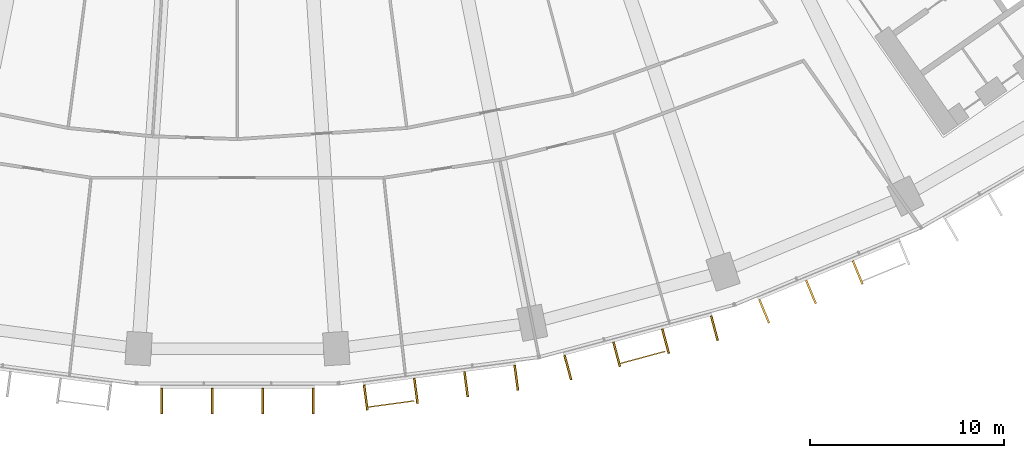
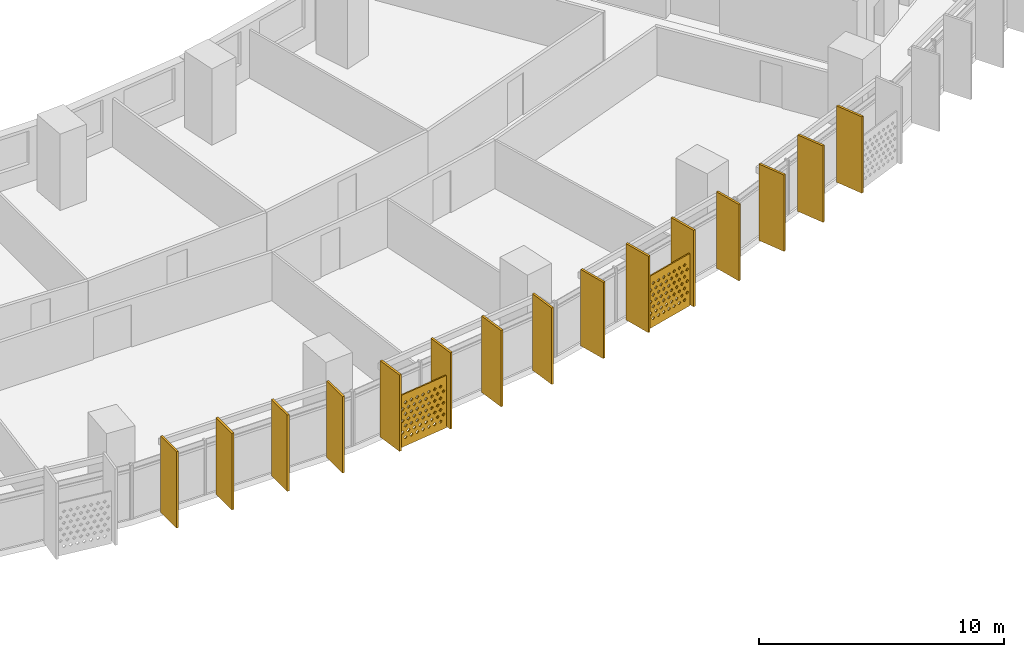
# One storey, part 28 of 31: 17 shading devices.
"""IFC4 building model written with IfcOpenShell, lengths in metres."""

from ifc_helpers import new_model, si_unit, direction, frame, origin, origin_2d, place, context, subcontext, project, spatial, polyline, rectangle, outline, extrude, material, material_profile, profile_set, type_object, element, save


model = new_model("IFC4")

# Units and contexts
model_context = context("Model", 3, precision=1e-05, world=origin(), true_north=direction((0.0, 1.0)))
body_context = subcontext(model_context, "Body", "Model", "MODEL_VIEW")
ifc_project = project(units=[si_unit("LENGTHUNIT", "METRE"), si_unit("AREAUNIT", "SQUARE_METRE"), si_unit("VOLUMEUNIT", "CUBIC_METRE"), si_unit("PLANEANGLEUNIT", "RADIAN"), si_unit("MASSUNIT", "GRAM", prefix="KILO")], contexts=[model_context])

# Site, building, storey
site_placement = place(None, origin())
site = spatial("IfcSite", under=ifc_project, at=site_placement, CompositionType="ELEMENT")
building_placement = place(site_placement, origin())
building = spatial("IfcBuilding", under=site, at=building_placement, Name="Qamariyya Broadcast Tower", CompositionType="ELEMENT")
storey_placement = place(building_placement, frame((0.0, 0.0, 86.10009765625)))
storey = spatial("IfcBuildingStorey", under=building, at=storey_placement, Name="L18", CompositionType="ELEMENT", Elevation=86.10009765625)

# Shading devices
ifc_material_1 = material(Name="Perforated glazed terracotta", Category="masonry")
ifc_material_profile_1 = material_profile(ifc_material_1, outline(polyline([(-1.199951171875, -1.300048828125), (1.199951171875, -1.300048828125), (1.199951171875, 1.300048828125), (-1.199951171875, 1.300048828125), (-1.199951171875, -1.300048828125)]), holes=[polyline([(-0.81494140625, -0.86669921875), (-0.89990234375, -0.78173828125), (-0.985107421875, -0.86669921875), (-0.89990234375, -0.95166015625), (-0.81494140625, -0.86669921875)]), polyline([(-0.514892578125, -0.86669921875), (-0.60009765625, -0.78173828125), (-0.68505859375, -0.86669921875), (-0.60009765625, -0.95166015625), (-0.514892578125, -0.86669921875)]), polyline([(-0.215087890625, -0.86669921875), (-0.300048828125, -0.78173828125), (-0.385009765625, -0.86669921875), (-0.300048828125, -0.95166015625), (-0.215087890625, -0.86669921875)]), polyline([(0.0849609375, -0.86669921875), (0.0, -0.78173828125), (-0.0849609375, -0.86669921875), (0.0, -0.95166015625), (0.0849609375, -0.86669921875)]), polyline([(0.385009765625, -0.86669921875), (0.300048828125, -0.78173828125), (0.215087890625, -0.86669921875), (0.300048828125, -0.95166015625), (0.385009765625, -0.86669921875)]), polyline([(0.68505859375, -0.86669921875), (0.60009765625, -0.78173828125), (0.514892578125, -0.86669921875), (0.60009765625, -0.95166015625), (0.68505859375, -0.86669921875)]), polyline([(0.985107421875, -0.86669921875), (0.89990234375, -0.78173828125), (0.81494140625, -0.86669921875), (0.89990234375, -0.95166015625), (0.985107421875, -0.86669921875)]), polyline([(-0.965087890625, -0.577880859375), (-1.050048828125, -0.49267578125), (-1.135009765625, -0.577880859375), (-1.050048828125, -0.662841796875), (-0.965087890625, -0.577880859375)]), polyline([(-0.6650390625, -0.577880859375), (-0.75, -0.49267578125), (-0.8349609375, -0.577880859375), (-0.75, -0.662841796875), (-0.6650390625, -0.577880859375)]), polyline([(-0.364990234375, -0.577880859375), (-0.449951171875, -0.49267578125), (-0.534912109375, -0.577880859375), (-0.449951171875, -0.662841796875), (-0.364990234375, -0.577880859375)]), polyline([(-0.06494140625, -0.577880859375), (-0.14990234375, -0.49267578125), (-0.235107421875, -0.577880859375), (-0.14990234375, -0.662841796875), (-0.06494140625, -0.577880859375)]), polyline([(0.235107421875, -0.577880859375), (0.14990234375, -0.49267578125), (0.06494140625, -0.577880859375), (0.14990234375, -0.662841796875), (0.235107421875, -0.577880859375)]), polyline([(0.534912109375, -0.577880859375), (0.449951171875, -0.49267578125), (0.364990234375, -0.577880859375), (0.449951171875, -0.662841796875), (0.534912109375, -0.577880859375)]), polyline([(0.8349609375, -0.577880859375), (0.75, -0.49267578125), (0.6650390625, -0.577880859375), (0.75, -0.662841796875), (0.8349609375, -0.577880859375)]), polyline([(1.135009765625, -0.577880859375), (1.050048828125, -0.49267578125), (0.965087890625, -0.577880859375), (1.050048828125, -0.662841796875), (1.135009765625, -0.577880859375)]), polyline([(-0.81494140625, -0.288818359375), (-0.89990234375, -0.203857421875), (-0.985107421875, -0.288818359375), (-0.89990234375, -0.373779296875), (-0.81494140625, -0.288818359375)]), polyline([(-0.514892578125, -0.288818359375), (-0.60009765625, -0.203857421875), (-0.68505859375, -0.288818359375), (-0.60009765625, -0.373779296875), (-0.514892578125, -0.288818359375)]), polyline([(-0.215087890625, -0.288818359375), (-0.300048828125, -0.203857421875), (-0.385009765625, -0.288818359375), (-0.300048828125, -0.373779296875), (-0.215087890625, -0.288818359375)]), polyline([(0.0849609375, -0.288818359375), (0.0, -0.203857421875), (-0.0849609375, -0.288818359375), (0.0, -0.373779296875), (0.0849609375, -0.288818359375)]), polyline([(0.385009765625, -0.288818359375), (0.300048828125, -0.203857421875), (0.215087890625, -0.288818359375), (0.300048828125, -0.373779296875), (0.385009765625, -0.288818359375)]), polyline([(0.68505859375, -0.288818359375), (0.60009765625, -0.203857421875), (0.514892578125, -0.288818359375), (0.60009765625, -0.373779296875), (0.68505859375, -0.288818359375)]), polyline([(0.985107421875, -0.288818359375), (0.89990234375, -0.203857421875), (0.81494140625, -0.288818359375), (0.89990234375, -0.373779296875), (0.985107421875, -0.288818359375)]), polyline([(-0.965087890625, 0.0), (-1.050048828125, 0.0849609375), (-1.135009765625, 0.0), (-1.050048828125, -0.0849609375), (-0.965087890625, 0.0)]), polyline([(-0.6650390625, 0.0), (-0.75, 0.0849609375), (-0.8349609375, 0.0), (-0.75, -0.0849609375), (-0.6650390625, 0.0)]), polyline([(-0.364990234375, 0.0), (-0.449951171875, 0.0849609375), (-0.534912109375, 0.0), (-0.449951171875, -0.0849609375), (-0.364990234375, 0.0)]), polyline([(-0.06494140625, 0.0), (-0.14990234375, 0.0849609375), (-0.235107421875, 0.0), (-0.14990234375, -0.0849609375), (-0.06494140625, 0.0)]), polyline([(0.235107421875, 0.0), (0.14990234375, 0.0849609375), (0.06494140625, 0.0), (0.14990234375, -0.0849609375), (0.235107421875, 0.0)]), polyline([(0.534912109375, 0.0), (0.449951171875, 0.0849609375), (0.364990234375, 0.0), (0.449951171875, -0.0849609375), (0.534912109375, 0.0)]), polyline([(0.8349609375, 0.0), (0.75, 0.0849609375), (0.6650390625, 0.0), (0.75, -0.0849609375), (0.8349609375, 0.0)]), polyline([(1.135009765625, 0.0), (1.050048828125, 0.0849609375), (0.965087890625, 0.0), (1.050048828125, -0.0849609375), (1.135009765625, 0.0)]), polyline([(-0.81494140625, 0.288818359375), (-0.89990234375, 0.373779296875), (-0.985107421875, 0.288818359375), (-0.89990234375, 0.203857421875), (-0.81494140625, 0.288818359375)]), polyline([(-0.514892578125, 0.288818359375), (-0.60009765625, 0.373779296875), (-0.68505859375, 0.288818359375), (-0.60009765625, 0.203857421875), (-0.514892578125, 0.288818359375)]), polyline([(-0.215087890625, 0.288818359375), (-0.300048828125, 0.373779296875), (-0.385009765625, 0.288818359375), (-0.300048828125, 0.203857421875), (-0.215087890625, 0.288818359375)]), polyline([(0.0849609375, 0.288818359375), (0.0, 0.373779296875), (-0.0849609375, 0.288818359375), (0.0, 0.203857421875), (0.0849609375, 0.288818359375)]), polyline([(0.385009765625, 0.288818359375), (0.300048828125, 0.373779296875), (0.215087890625, 0.288818359375), (0.300048828125, 0.203857421875), (0.385009765625, 0.288818359375)]), polyline([(0.68505859375, 0.288818359375), (0.60009765625, 0.373779296875), (0.514892578125, 0.288818359375), (0.60009765625, 0.203857421875), (0.68505859375, 0.288818359375)]), polyline([(0.985107421875, 0.288818359375), (0.89990234375, 0.373779296875), (0.81494140625, 0.288818359375), (0.89990234375, 0.203857421875), (0.985107421875, 0.288818359375)]), polyline([(-0.965087890625, 0.577880859375), (-1.050048828125, 0.662841796875), (-1.135009765625, 0.577880859375), (-1.050048828125, 0.49267578125), (-0.965087890625, 0.577880859375)]), polyline([(-0.6650390625, 0.577880859375), (-0.75, 0.662841796875), (-0.8349609375, 0.577880859375), (-0.75, 0.49267578125), (-0.6650390625, 0.577880859375)]), polyline([(-0.364990234375, 0.577880859375), (-0.449951171875, 0.662841796875), (-0.534912109375, 0.577880859375), (-0.449951171875, 0.49267578125), (-0.364990234375, 0.577880859375)]), polyline([(-0.06494140625, 0.577880859375), (-0.14990234375, 0.662841796875), (-0.235107421875, 0.577880859375), (-0.14990234375, 0.49267578125), (-0.06494140625, 0.577880859375)]), polyline([(0.235107421875, 0.577880859375), (0.14990234375, 0.662841796875), (0.06494140625, 0.577880859375), (0.14990234375, 0.49267578125), (0.235107421875, 0.577880859375)]), polyline([(0.534912109375, 0.577880859375), (0.449951171875, 0.662841796875), (0.364990234375, 0.577880859375), (0.449951171875, 0.49267578125), (0.534912109375, 0.577880859375)]), polyline([(0.8349609375, 0.577880859375), (0.75, 0.662841796875), (0.6650390625, 0.577880859375), (0.75, 0.49267578125), (0.8349609375, 0.577880859375)]), polyline([(1.135009765625, 0.577880859375), (1.050048828125, 0.662841796875), (0.965087890625, 0.577880859375), (1.050048828125, 0.49267578125), (1.135009765625, 0.577880859375)]), polyline([(-0.81494140625, 0.86669921875), (-0.89990234375, 0.95166015625), (-0.985107421875, 0.86669921875), (-0.89990234375, 0.78173828125), (-0.81494140625, 0.86669921875)]), polyline([(-0.514892578125, 0.86669921875), (-0.60009765625, 0.95166015625), (-0.68505859375, 0.86669921875), (-0.60009765625, 0.78173828125), (-0.514892578125, 0.86669921875)]), polyline([(-0.215087890625, 0.86669921875), (-0.300048828125, 0.95166015625), (-0.385009765625, 0.86669921875), (-0.300048828125, 0.78173828125), (-0.215087890625, 0.86669921875)]), polyline([(0.0849609375, 0.86669921875), (0.0, 0.95166015625), (-0.0849609375, 0.86669921875), (0.0, 0.78173828125), (0.0849609375, 0.86669921875)]), polyline([(0.385009765625, 0.86669921875), (0.300048828125, 0.95166015625), (0.215087890625, 0.86669921875), (0.300048828125, 0.78173828125), (0.385009765625, 0.86669921875)]), polyline([(0.68505859375, 0.86669921875), (0.60009765625, 0.95166015625), (0.514892578125, 0.86669921875), (0.60009765625, 0.78173828125), (0.68505859375, 0.86669921875)]), polyline([(0.985107421875, 0.86669921875), (0.89990234375, 0.95166015625), (0.81494140625, 0.86669921875), (0.89990234375, 0.78173828125), (0.985107421875, 0.86669921875)])]))
ifc_profile_set_1 = profile_set([ifc_material_profile_1], Name="Perforated glazed terracotta")
shading_device_type_1 = type_object("IfcShadingDeviceType", Name="Perforated terracotta screen 2400 x 2600", PredefinedType="USERDEFINED", material=ifc_profile_set_1)
shading_device_1_placement = place(storey_placement, frame((7.905517578125, -80.405517578125, 1.349853515625), z_axis=(0.13456727237, -0.990904460181, 0.0), x_axis=(0.990904460181, 0.13456727237, 0.0)))
element("IfcShadingDevice", 1, at=shading_device_1_placement, inside=storey, type_object=shading_device_type_1, Name="e-scr-L18-09-0", ObjectType="SCREEN", PredefinedType="USERDEFINED", context=body_context, shape_type="SweptSolid", body=[
    extrude(outline(polyline([(-1.199951171875, -1.300048828125), (1.199951171875, -1.300048828125), (1.199951171875, 1.300048828125), (-1.199951171875, 1.300048828125), (-1.199951171875, -1.300048828125)]), holes=[polyline([(-0.81494140625, -0.86669921875), (-0.89990234375, -0.78173828125), (-0.985107421875, -0.86669921875), (-0.89990234375, -0.95166015625), (-0.81494140625, -0.86669921875)]), polyline([(-0.514892578125, -0.86669921875), (-0.60009765625, -0.78173828125), (-0.68505859375, -0.86669921875), (-0.60009765625, -0.95166015625), (-0.514892578125, -0.86669921875)]), polyline([(-0.215087890625, -0.86669921875), (-0.300048828125, -0.78173828125), (-0.385009765625, -0.86669921875), (-0.300048828125, -0.95166015625), (-0.215087890625, -0.86669921875)]), polyline([(0.0849609375, -0.86669921875), (0.0, -0.78173828125), (-0.0849609375, -0.86669921875), (0.0, -0.95166015625), (0.0849609375, -0.86669921875)]), polyline([(0.385009765625, -0.86669921875), (0.300048828125, -0.78173828125), (0.215087890625, -0.86669921875), (0.300048828125, -0.95166015625), (0.385009765625, -0.86669921875)]), polyline([(0.68505859375, -0.86669921875), (0.60009765625, -0.78173828125), (0.514892578125, -0.86669921875), (0.60009765625, -0.95166015625), (0.68505859375, -0.86669921875)]), polyline([(0.985107421875, -0.86669921875), (0.89990234375, -0.78173828125), (0.81494140625, -0.86669921875), (0.89990234375, -0.95166015625), (0.985107421875, -0.86669921875)]), polyline([(-0.965087890625, -0.577880859375), (-1.050048828125, -0.49267578125), (-1.135009765625, -0.577880859375), (-1.050048828125, -0.662841796875), (-0.965087890625, -0.577880859375)]), polyline([(-0.6650390625, -0.577880859375), (-0.75, -0.49267578125), (-0.8349609375, -0.577880859375), (-0.75, -0.662841796875), (-0.6650390625, -0.577880859375)]), polyline([(-0.364990234375, -0.577880859375), (-0.449951171875, -0.49267578125), (-0.534912109375, -0.577880859375), (-0.449951171875, -0.662841796875), (-0.364990234375, -0.577880859375)]), polyline([(-0.06494140625, -0.577880859375), (-0.14990234375, -0.49267578125), (-0.235107421875, -0.577880859375), (-0.14990234375, -0.662841796875), (-0.06494140625, -0.577880859375)]), polyline([(0.235107421875, -0.577880859375), (0.14990234375, -0.49267578125), (0.06494140625, -0.577880859375), (0.14990234375, -0.662841796875), (0.235107421875, -0.577880859375)]), polyline([(0.534912109375, -0.577880859375), (0.449951171875, -0.49267578125), (0.364990234375, -0.577880859375), (0.449951171875, -0.662841796875), (0.534912109375, -0.577880859375)]), polyline([(0.8349609375, -0.577880859375), (0.75, -0.49267578125), (0.6650390625, -0.577880859375), (0.75, -0.662841796875), (0.8349609375, -0.577880859375)]), polyline([(1.135009765625, -0.577880859375), (1.050048828125, -0.49267578125), (0.965087890625, -0.577880859375), (1.050048828125, -0.662841796875), (1.135009765625, -0.577880859375)]), polyline([(-0.81494140625, -0.288818359375), (-0.89990234375, -0.203857421875), (-0.985107421875, -0.288818359375), (-0.89990234375, -0.373779296875), (-0.81494140625, -0.288818359375)]), polyline([(-0.514892578125, -0.288818359375), (-0.60009765625, -0.203857421875), (-0.68505859375, -0.288818359375), (-0.60009765625, -0.373779296875), (-0.514892578125, -0.288818359375)]), polyline([(-0.215087890625, -0.288818359375), (-0.300048828125, -0.203857421875), (-0.385009765625, -0.288818359375), (-0.300048828125, -0.373779296875), (-0.215087890625, -0.288818359375)]), polyline([(0.0849609375, -0.288818359375), (0.0, -0.203857421875), (-0.0849609375, -0.288818359375), (0.0, -0.373779296875), (0.0849609375, -0.288818359375)]), polyline([(0.385009765625, -0.288818359375), (0.300048828125, -0.203857421875), (0.215087890625, -0.288818359375), (0.300048828125, -0.373779296875), (0.385009765625, -0.288818359375)]), polyline([(0.68505859375, -0.288818359375), (0.60009765625, -0.203857421875), (0.514892578125, -0.288818359375), (0.60009765625, -0.373779296875), (0.68505859375, -0.288818359375)]), polyline([(0.985107421875, -0.288818359375), (0.89990234375, -0.203857421875), (0.81494140625, -0.288818359375), (0.89990234375, -0.373779296875), (0.985107421875, -0.288818359375)]), polyline([(-0.965087890625, 0.0), (-1.050048828125, 0.0849609375), (-1.135009765625, 0.0), (-1.050048828125, -0.0849609375), (-0.965087890625, 0.0)]), polyline([(-0.6650390625, 0.0), (-0.75, 0.0849609375), (-0.8349609375, 0.0), (-0.75, -0.0849609375), (-0.6650390625, 0.0)]), polyline([(-0.364990234375, 0.0), (-0.449951171875, 0.0849609375), (-0.534912109375, 0.0), (-0.449951171875, -0.0849609375), (-0.364990234375, 0.0)]), polyline([(-0.06494140625, 0.0), (-0.14990234375, 0.0849609375), (-0.235107421875, 0.0), (-0.14990234375, -0.0849609375), (-0.06494140625, 0.0)]), polyline([(0.235107421875, 0.0), (0.14990234375, 0.0849609375), (0.06494140625, 0.0), (0.14990234375, -0.0849609375), (0.235107421875, 0.0)]), polyline([(0.534912109375, 0.0), (0.449951171875, 0.0849609375), (0.364990234375, 0.0), (0.449951171875, -0.0849609375), (0.534912109375, 0.0)]), polyline([(0.8349609375, 0.0), (0.75, 0.0849609375), (0.6650390625, 0.0), (0.75, -0.0849609375), (0.8349609375, 0.0)]), polyline([(1.135009765625, 0.0), (1.050048828125, 0.0849609375), (0.965087890625, 0.0), (1.050048828125, -0.0849609375), (1.135009765625, 0.0)]), polyline([(-0.81494140625, 0.288818359375), (-0.89990234375, 0.373779296875), (-0.985107421875, 0.288818359375), (-0.89990234375, 0.203857421875), (-0.81494140625, 0.288818359375)]), polyline([(-0.514892578125, 0.288818359375), (-0.60009765625, 0.373779296875), (-0.68505859375, 0.288818359375), (-0.60009765625, 0.203857421875), (-0.514892578125, 0.288818359375)]), polyline([(-0.215087890625, 0.288818359375), (-0.300048828125, 0.373779296875), (-0.385009765625, 0.288818359375), (-0.300048828125, 0.203857421875), (-0.215087890625, 0.288818359375)]), polyline([(0.0849609375, 0.288818359375), (0.0, 0.373779296875), (-0.0849609375, 0.288818359375), (0.0, 0.203857421875), (0.0849609375, 0.288818359375)]), polyline([(0.385009765625, 0.288818359375), (0.300048828125, 0.373779296875), (0.215087890625, 0.288818359375), (0.300048828125, 0.203857421875), (0.385009765625, 0.288818359375)]), polyline([(0.68505859375, 0.288818359375), (0.60009765625, 0.373779296875), (0.514892578125, 0.288818359375), (0.60009765625, 0.203857421875), (0.68505859375, 0.288818359375)]), polyline([(0.985107421875, 0.288818359375), (0.89990234375, 0.373779296875), (0.81494140625, 0.288818359375), (0.89990234375, 0.203857421875), (0.985107421875, 0.288818359375)]), polyline([(-0.965087890625, 0.577880859375), (-1.050048828125, 0.662841796875), (-1.135009765625, 0.577880859375), (-1.050048828125, 0.49267578125), (-0.965087890625, 0.577880859375)]), polyline([(-0.6650390625, 0.577880859375), (-0.75, 0.662841796875), (-0.8349609375, 0.577880859375), (-0.75, 0.49267578125), (-0.6650390625, 0.577880859375)]), polyline([(-0.364990234375, 0.577880859375), (-0.449951171875, 0.662841796875), (-0.534912109375, 0.577880859375), (-0.449951171875, 0.49267578125), (-0.364990234375, 0.577880859375)]), polyline([(-0.06494140625, 0.577880859375), (-0.14990234375, 0.662841796875), (-0.235107421875, 0.577880859375), (-0.14990234375, 0.49267578125), (-0.06494140625, 0.577880859375)]), polyline([(0.235107421875, 0.577880859375), (0.14990234375, 0.662841796875), (0.06494140625, 0.577880859375), (0.14990234375, 0.49267578125), (0.235107421875, 0.577880859375)]), polyline([(0.534912109375, 0.577880859375), (0.449951171875, 0.662841796875), (0.364990234375, 0.577880859375), (0.449951171875, 0.49267578125), (0.534912109375, 0.577880859375)]), polyline([(0.8349609375, 0.577880859375), (0.75, 0.662841796875), (0.6650390625, 0.577880859375), (0.75, 0.49267578125), (0.8349609375, 0.577880859375)]), polyline([(1.135009765625, 0.577880859375), (1.050048828125, 0.662841796875), (0.965087890625, 0.577880859375), (1.050048828125, 0.49267578125), (1.135009765625, 0.577880859375)]), polyline([(-0.81494140625, 0.86669921875), (-0.89990234375, 0.95166015625), (-0.985107421875, 0.86669921875), (-0.89990234375, 0.78173828125), (-0.81494140625, 0.86669921875)]), polyline([(-0.514892578125, 0.86669921875), (-0.60009765625, 0.95166015625), (-0.68505859375, 0.86669921875), (-0.60009765625, 0.78173828125), (-0.514892578125, 0.86669921875)]), polyline([(-0.215087890625, 0.86669921875), (-0.300048828125, 0.95166015625), (-0.385009765625, 0.86669921875), (-0.300048828125, 0.78173828125), (-0.215087890625, 0.86669921875)]), polyline([(0.0849609375, 0.86669921875), (0.0, 0.95166015625), (-0.0849609375, 0.86669921875), (0.0, 0.78173828125), (0.0849609375, 0.86669921875)]), polyline([(0.385009765625, 0.86669921875), (0.300048828125, 0.95166015625), (0.215087890625, 0.86669921875), (0.300048828125, 0.78173828125), (0.385009765625, 0.86669921875)]), polyline([(0.68505859375, 0.86669921875), (0.60009765625, 0.95166015625), (0.514892578125, 0.86669921875), (0.60009765625, 0.78173828125), (0.68505859375, 0.86669921875)]), polyline([(0.985107421875, 0.86669921875), (0.89990234375, 0.95166015625), (0.81494140625, 0.86669921875), (0.89990234375, 0.78173828125), (0.985107421875, 0.86669921875)])]), origin(), (0.0, 0.0, 1.0), 0.059814453125),
])
shading_device_2_placement = place(storey_placement, frame((20.848876953125, -78.011474609375, 1.349853515625), z_axis=(0.259682438219, -0.965694067125, 0.0), x_axis=(0.965694067125, 0.259682438219, 0.0)))
element("IfcShadingDevice", 2, at=shading_device_2_placement, inside=storey, type_object=shading_device_type_1, Name="e-scr-L18-10-1", ObjectType="SCREEN", PredefinedType="USERDEFINED", context=body_context, shape_type="SweptSolid", body=[
    extrude(outline(polyline([(-1.199951171875, -1.300048828125), (1.199951171875, -1.300048828125), (1.199951171875, 1.300048828125), (-1.199951171875, 1.300048828125), (-1.199951171875, -1.300048828125)]), holes=[polyline([(-0.81494140625, -0.86669921875), (-0.89990234375, -0.78173828125), (-0.985107421875, -0.86669921875), (-0.89990234375, -0.95166015625), (-0.81494140625, -0.86669921875)]), polyline([(-0.514892578125, -0.86669921875), (-0.60009765625, -0.78173828125), (-0.68505859375, -0.86669921875), (-0.60009765625, -0.95166015625), (-0.514892578125, -0.86669921875)]), polyline([(-0.215087890625, -0.86669921875), (-0.300048828125, -0.78173828125), (-0.385009765625, -0.86669921875), (-0.300048828125, -0.95166015625), (-0.215087890625, -0.86669921875)]), polyline([(0.0849609375, -0.86669921875), (0.0, -0.78173828125), (-0.0849609375, -0.86669921875), (0.0, -0.95166015625), (0.0849609375, -0.86669921875)]), polyline([(0.385009765625, -0.86669921875), (0.300048828125, -0.78173828125), (0.215087890625, -0.86669921875), (0.300048828125, -0.95166015625), (0.385009765625, -0.86669921875)]), polyline([(0.68505859375, -0.86669921875), (0.60009765625, -0.78173828125), (0.514892578125, -0.86669921875), (0.60009765625, -0.95166015625), (0.68505859375, -0.86669921875)]), polyline([(0.985107421875, -0.86669921875), (0.89990234375, -0.78173828125), (0.81494140625, -0.86669921875), (0.89990234375, -0.95166015625), (0.985107421875, -0.86669921875)]), polyline([(-0.965087890625, -0.577880859375), (-1.050048828125, -0.49267578125), (-1.135009765625, -0.577880859375), (-1.050048828125, -0.662841796875), (-0.965087890625, -0.577880859375)]), polyline([(-0.6650390625, -0.577880859375), (-0.75, -0.49267578125), (-0.8349609375, -0.577880859375), (-0.75, -0.662841796875), (-0.6650390625, -0.577880859375)]), polyline([(-0.364990234375, -0.577880859375), (-0.449951171875, -0.49267578125), (-0.534912109375, -0.577880859375), (-0.449951171875, -0.662841796875), (-0.364990234375, -0.577880859375)]), polyline([(-0.06494140625, -0.577880859375), (-0.14990234375, -0.49267578125), (-0.235107421875, -0.577880859375), (-0.14990234375, -0.662841796875), (-0.06494140625, -0.577880859375)]), polyline([(0.235107421875, -0.577880859375), (0.14990234375, -0.49267578125), (0.06494140625, -0.577880859375), (0.14990234375, -0.662841796875), (0.235107421875, -0.577880859375)]), polyline([(0.534912109375, -0.577880859375), (0.449951171875, -0.49267578125), (0.364990234375, -0.577880859375), (0.449951171875, -0.662841796875), (0.534912109375, -0.577880859375)]), polyline([(0.8349609375, -0.577880859375), (0.75, -0.49267578125), (0.6650390625, -0.577880859375), (0.75, -0.662841796875), (0.8349609375, -0.577880859375)]), polyline([(1.135009765625, -0.577880859375), (1.050048828125, -0.49267578125), (0.965087890625, -0.577880859375), (1.050048828125, -0.662841796875), (1.135009765625, -0.577880859375)]), polyline([(-0.81494140625, -0.288818359375), (-0.89990234375, -0.203857421875), (-0.985107421875, -0.288818359375), (-0.89990234375, -0.373779296875), (-0.81494140625, -0.288818359375)]), polyline([(-0.514892578125, -0.288818359375), (-0.60009765625, -0.203857421875), (-0.68505859375, -0.288818359375), (-0.60009765625, -0.373779296875), (-0.514892578125, -0.288818359375)]), polyline([(-0.215087890625, -0.288818359375), (-0.300048828125, -0.203857421875), (-0.385009765625, -0.288818359375), (-0.300048828125, -0.373779296875), (-0.215087890625, -0.288818359375)]), polyline([(0.0849609375, -0.288818359375), (0.0, -0.203857421875), (-0.0849609375, -0.288818359375), (0.0, -0.373779296875), (0.0849609375, -0.288818359375)]), polyline([(0.385009765625, -0.288818359375), (0.300048828125, -0.203857421875), (0.215087890625, -0.288818359375), (0.300048828125, -0.373779296875), (0.385009765625, -0.288818359375)]), polyline([(0.68505859375, -0.288818359375), (0.60009765625, -0.203857421875), (0.514892578125, -0.288818359375), (0.60009765625, -0.373779296875), (0.68505859375, -0.288818359375)]), polyline([(0.985107421875, -0.288818359375), (0.89990234375, -0.203857421875), (0.81494140625, -0.288818359375), (0.89990234375, -0.373779296875), (0.985107421875, -0.288818359375)]), polyline([(-0.965087890625, 0.0), (-1.050048828125, 0.0849609375), (-1.135009765625, 0.0), (-1.050048828125, -0.0849609375), (-0.965087890625, 0.0)]), polyline([(-0.6650390625, 0.0), (-0.75, 0.0849609375), (-0.8349609375, 0.0), (-0.75, -0.0849609375), (-0.6650390625, 0.0)]), polyline([(-0.364990234375, 0.0), (-0.449951171875, 0.0849609375), (-0.534912109375, 0.0), (-0.449951171875, -0.0849609375), (-0.364990234375, 0.0)]), polyline([(-0.06494140625, 0.0), (-0.14990234375, 0.0849609375), (-0.235107421875, 0.0), (-0.14990234375, -0.0849609375), (-0.06494140625, 0.0)]), polyline([(0.235107421875, 0.0), (0.14990234375, 0.0849609375), (0.06494140625, 0.0), (0.14990234375, -0.0849609375), (0.235107421875, 0.0)]), polyline([(0.534912109375, 0.0), (0.449951171875, 0.0849609375), (0.364990234375, 0.0), (0.449951171875, -0.0849609375), (0.534912109375, 0.0)]), polyline([(0.8349609375, 0.0), (0.75, 0.0849609375), (0.6650390625, 0.0), (0.75, -0.0849609375), (0.8349609375, 0.0)]), polyline([(1.135009765625, 0.0), (1.050048828125, 0.0849609375), (0.965087890625, 0.0), (1.050048828125, -0.0849609375), (1.135009765625, 0.0)]), polyline([(-0.81494140625, 0.288818359375), (-0.89990234375, 0.373779296875), (-0.985107421875, 0.288818359375), (-0.89990234375, 0.203857421875), (-0.81494140625, 0.288818359375)]), polyline([(-0.514892578125, 0.288818359375), (-0.60009765625, 0.373779296875), (-0.68505859375, 0.288818359375), (-0.60009765625, 0.203857421875), (-0.514892578125, 0.288818359375)]), polyline([(-0.215087890625, 0.288818359375), (-0.300048828125, 0.373779296875), (-0.385009765625, 0.288818359375), (-0.300048828125, 0.203857421875), (-0.215087890625, 0.288818359375)]), polyline([(0.0849609375, 0.288818359375), (0.0, 0.373779296875), (-0.0849609375, 0.288818359375), (0.0, 0.203857421875), (0.0849609375, 0.288818359375)]), polyline([(0.385009765625, 0.288818359375), (0.300048828125, 0.373779296875), (0.215087890625, 0.288818359375), (0.300048828125, 0.203857421875), (0.385009765625, 0.288818359375)]), polyline([(0.68505859375, 0.288818359375), (0.60009765625, 0.373779296875), (0.514892578125, 0.288818359375), (0.60009765625, 0.203857421875), (0.68505859375, 0.288818359375)]), polyline([(0.985107421875, 0.288818359375), (0.89990234375, 0.373779296875), (0.81494140625, 0.288818359375), (0.89990234375, 0.203857421875), (0.985107421875, 0.288818359375)]), polyline([(-0.965087890625, 0.577880859375), (-1.050048828125, 0.662841796875), (-1.135009765625, 0.577880859375), (-1.050048828125, 0.49267578125), (-0.965087890625, 0.577880859375)]), polyline([(-0.6650390625, 0.577880859375), (-0.75, 0.662841796875), (-0.8349609375, 0.577880859375), (-0.75, 0.49267578125), (-0.6650390625, 0.577880859375)]), polyline([(-0.364990234375, 0.577880859375), (-0.449951171875, 0.662841796875), (-0.534912109375, 0.577880859375), (-0.449951171875, 0.49267578125), (-0.364990234375, 0.577880859375)]), polyline([(-0.06494140625, 0.577880859375), (-0.14990234375, 0.662841796875), (-0.235107421875, 0.577880859375), (-0.14990234375, 0.49267578125), (-0.06494140625, 0.577880859375)]), polyline([(0.235107421875, 0.577880859375), (0.14990234375, 0.662841796875), (0.06494140625, 0.577880859375), (0.14990234375, 0.49267578125), (0.235107421875, 0.577880859375)]), polyline([(0.534912109375, 0.577880859375), (0.449951171875, 0.662841796875), (0.364990234375, 0.577880859375), (0.449951171875, 0.49267578125), (0.534912109375, 0.577880859375)]), polyline([(0.8349609375, 0.577880859375), (0.75, 0.662841796875), (0.6650390625, 0.577880859375), (0.75, 0.49267578125), (0.8349609375, 0.577880859375)]), polyline([(1.135009765625, 0.577880859375), (1.050048828125, 0.662841796875), (0.965087890625, 0.577880859375), (1.050048828125, 0.49267578125), (1.135009765625, 0.577880859375)]), polyline([(-0.81494140625, 0.86669921875), (-0.89990234375, 0.95166015625), (-0.985107421875, 0.86669921875), (-0.89990234375, 0.78173828125), (-0.81494140625, 0.86669921875)]), polyline([(-0.514892578125, 0.86669921875), (-0.60009765625, 0.95166015625), (-0.68505859375, 0.86669921875), (-0.60009765625, 0.78173828125), (-0.514892578125, 0.86669921875)]), polyline([(-0.215087890625, 0.86669921875), (-0.300048828125, 0.95166015625), (-0.385009765625, 0.86669921875), (-0.300048828125, 0.78173828125), (-0.215087890625, 0.86669921875)]), polyline([(0.0849609375, 0.86669921875), (0.0, 0.95166015625), (-0.0849609375, 0.86669921875), (0.0, 0.78173828125), (0.0849609375, 0.86669921875)]), polyline([(0.385009765625, 0.86669921875), (0.300048828125, 0.95166015625), (0.215087890625, 0.86669921875), (0.300048828125, 0.78173828125), (0.385009765625, 0.86669921875)]), polyline([(0.68505859375, 0.86669921875), (0.60009765625, 0.95166015625), (0.514892578125, 0.86669921875), (0.60009765625, 0.78173828125), (0.68505859375, 0.86669921875)]), polyline([(0.985107421875, 0.86669921875), (0.89990234375, 0.95166015625), (0.81494140625, 0.86669921875), (0.89990234375, 0.78173828125), (0.985107421875, 0.86669921875)])]), origin(), (0.0, 0.0, 1.0), 0.06005859375),
])
ifc_material_2 = material(Name="Glazed terracotta", Category="masonry")
ifc_material_profile_2 = material_profile(ifc_material_2, rectangle(XDim=1.300048828125, YDim=0.10009765625, at=origin_2d()))
ifc_profile_set_2 = profile_set([ifc_material_profile_2], Name="Glazed terracotta")
shading_device_type_2 = type_object("IfcShadingDeviceType", Name="Terracotta fin 100 x 1300", PredefinedType="USERDEFINED", material=ifc_profile_set_2)
for number, where, z_axis, x_axis, name in (
    (3, (-3.906982421875, -80.279541015625, 0.0), (0.0, 0.0, 1.0), (0.0, -1.0, 0.0), "e-fin-L18-08-0"),
    (4, (-1.30224609375, -80.279541015625, 0.0), (0.0, 0.0, 1.0), (0.0, -1.0, 0.0), "e-fin-L18-08-1"),
    (5, (1.30224609375, -80.279541015625, 0.0), (0.0, 0.0, 1.0), (0.0, -1.0, 0.0), "e-fin-L18-08-2"),
    (6, (3.906982421875, -80.279541015625, 0.0), (0.0, 0.0, 1.0), (0.0, -1.0, 0.0), "e-fin-L18-08-3"),
    (7, (6.60498046875, -80.1025390625, 0.0), (0.0, 0.0, 1.0), (0.13052619222, -0.991444861374, 0.0), "e-fin-L18-09-0"),
    (8, (9.187255859375, -79.7626953125, 0.0), (0.0, 0.0, 1.0), (0.13052619222, -0.991444861374, 0.0), "e-fin-L18-09-1"),
    (9, (11.769775390625, -79.422607421875, 0.0), (0.0, 0.0, 1.0), (0.13052619222, -0.991444861374, 0.0), "e-fin-L18-09-2"),
    (10, (14.35205078125, -79.082763671875, 0.0), (0.0, 0.0, 1.0), (0.13052619222, -0.991444861374, 0.0), "e-fin-L18-09-3"),
    (11, (17.00390625, -78.55517578125, 0.0), (0.0, 0.0, 1.0), (0.258819045103, -0.965925826289, 0.0), "e-fin-L18-10-0"),
    (12, (19.519775390625, -77.881103515625, 0.0), (0.0, 0.0, 1.0), (0.258819045103, -0.965925826289, 0.0), "e-fin-L18-10-1"),
    (13, (22.035888671875, -77.20703125, 0.0), (0.0, 0.0, 1.0), (0.258819045103, -0.965925826289, 0.0), "e-fin-L18-10-2"),
    (14, (24.5517578125, -76.53271484375, 0.0), (0.0, 0.0, 1.0), (0.258819045103, -0.965925826289, 0.0), "e-fin-L18-10-3"),
    (15, (27.112060546875, -75.663818359375, 0.0), (0.0, 0.0, 1.0), (0.382683432365, -0.923879532511, 0.0), "e-fin-L18-11-0"),
    (16, (29.518310546875, -74.6669921875, 0.0), (0.0, 0.0, 1.0), (0.382683432365, -0.923879532511, 0.0), "e-fin-L18-11-1"),
    (17, (31.9248046875, -73.670166015625, 0.0), (0.0, 0.0, 1.0), (0.382683432365, -0.923879532511, 0.0), "e-fin-L18-11-2"),
):
    element("IfcShadingDevice", number, at=place(storey_placement, frame(where, z_axis=z_axis, x_axis=x_axis)), inside=storey, type_object=shading_device_type_2, Name=name, ObjectType="FIN", PredefinedType="USERDEFINED", context=body_context, shape_type="SweptSolid", body=[
        extrude(rectangle(XDim=1.300048828125, YDim=0.10009765625, at=origin_2d()), origin(), (0.0, 0.0, 1.0), 3.7998046875),
    ])

save(model, "model.ifc")
